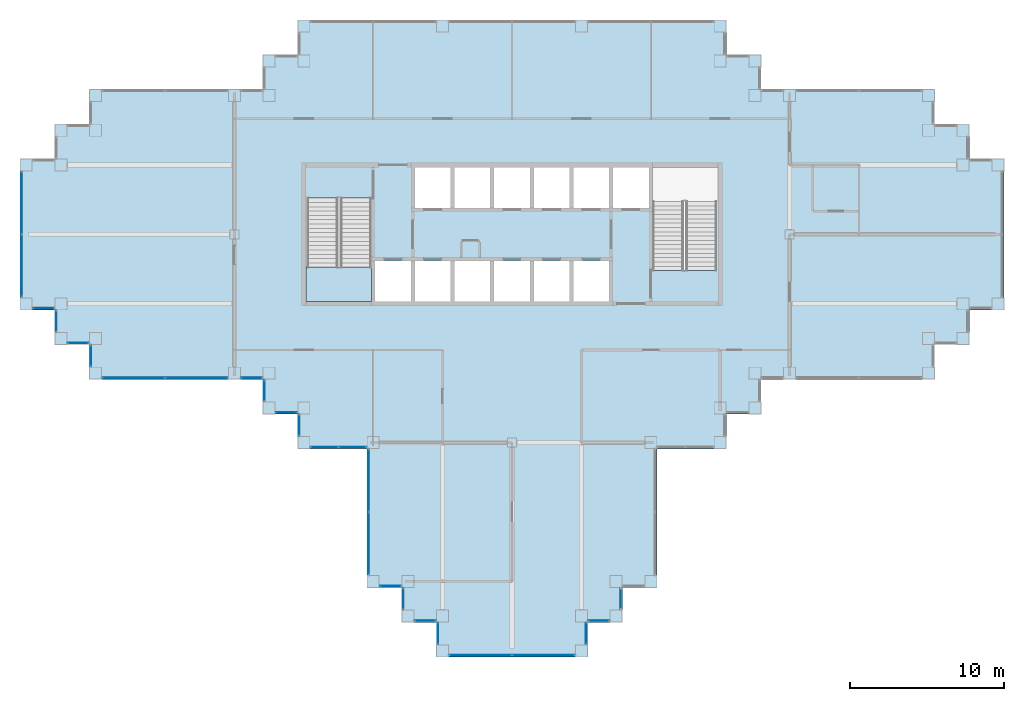
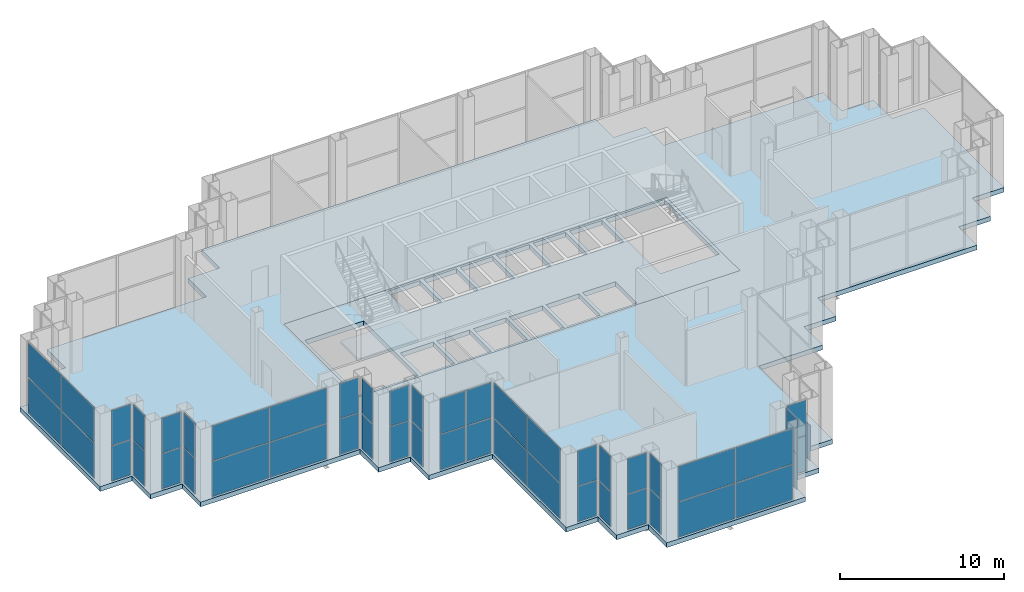
# One storey, part 9 of 18: 49 plates, 3 slabs, 21 elements without a shape of their own.
"""IFC4 building model written with IfcOpenShell, lengths in metres."""

from ifc_helpers import new_model, si_unit, direction, frame, origin, origin_2d, place, context, subcontext, project, spatial, polyline, rectangle, outline, extrude, material, layer, layer_set, type_object, element, aggregate, save


model = new_model("IFC4")

# Units and contexts
model_context = context("Model", 3, precision=1e-05, world=origin(), true_north=direction((0.0, 1.0)))
body_context = subcontext(model_context, "Body", "Model", "MODEL_VIEW")
ifc_project = project(units=[si_unit("LENGTHUNIT", "METRE"), si_unit("AREAUNIT", "SQUARE_METRE"), si_unit("VOLUMEUNIT", "CUBIC_METRE"), si_unit("PLANEANGLEUNIT", "RADIAN"), si_unit("MASSUNIT", "GRAM", prefix="KILO")], contexts=[model_context])

# Site, building, storey
site_placement = place(None, origin())
site = spatial("IfcSite", under=ifc_project, at=site_placement, CompositionType="ELEMENT")
building_placement = place(site_placement, origin())
building = spatial("IfcBuilding", under=site, at=building_placement, Name="Caravel Reach Hotel and Residences", CompositionType="ELEMENT")
storey_placement = place(building_placement, frame((0.0, 0.0, 145.199951171875)))
storey = spatial("IfcBuildingStorey", under=building, at=storey_placement, Name="L36", CompositionType="ELEMENT", Elevation=145.199951171875)

# Curtain wall, plates
ifc_material_1 = material(Name="Dark low-e glazing in black aluminium frame", Category="aluminium")
ifc_layer_1 = layer(ifc_material_1, 0.199951171875)
ifc_layer_set_1 = layer_set([ifc_layer_1], Name="CW2 Sky lobby glazing")
curtain_wall_type = type_object("IfcCurtainWallType", Name="CW2 Sky lobby glazing", PredefinedType="NOTDEFINED", material=ifc_layer_set_1)
curtain_wall_1_placement = place(storey_placement, origin())
curtain_wall_1 = element("IfcCurtainWall", 1, at=curtain_wall_1_placement, inside=storey, type_object=curtain_wall_type, Name="Sky lobby glazing b0", PredefinedType="NOTDEFINED")
ifc_material_2 = material(Name="Dark laminated low-e glass", Category="glass")
ifc_layer_2 = layer(ifc_material_2, 0.028076171875)
ifc_layer_set_2 = layer_set([ifc_layer_2], Name="CW glass panel 28")
plate_type = type_object("IfcPlateType", Name="CW glass panel 28", PredefinedType="CURTAIN_PANEL", material=ifc_layer_set_2)
plate_1_placement = place(storey_placement, frame((23.625, 4.199951171875, 0.06005859375), z_axis=(0.0, 0.0, 1.0), x_axis=(1.0, 0.0, 0.0)))
plate_1 = element("IfcPlate", 2, at=plate_1_placement, type_object=plate_type, Name="CW2 panel 1.1", PredefinedType="CURTAIN_PANEL", context=body_context, shape_type="SweptSolid", body=[
    extrude(rectangle(XDim=1.330078125, YDim=0.028076171875, at=origin_2d()), origin(), (0.0, 0.0, 1.0), 2.610107421875),
])
plate_2_placement = place(storey_placement, frame((23.625, 4.199951171875, 2.72998046875), z_axis=(0.0, 0.0, 1.0), x_axis=(1.0, 0.0, 0.0)))
plate_2 = element("IfcPlate", 3, at=plate_2_placement, type_object=plate_type, Name="CW2 panel 1.2", PredefinedType="CURTAIN_PANEL", context=body_context, shape_type="SweptSolid", body=[
    extrude(rectangle(XDim=1.330078125, YDim=0.028076171875, at=origin_2d()), origin(), (0.0, 0.0, 1.0), 2.610107421875),
])
aggregate(curtain_wall_1, [plate_1, plate_2])

curtain_wall_2_placement = place(storey_placement, origin())
curtain_wall_2 = element("IfcCurtainWall", 4, at=curtain_wall_2_placement, inside=storey, type_object=curtain_wall_type, Name="Sky lobby glazing b0", PredefinedType="NOTDEFINED")
plate_3_placement = place(storey_placement, frame((24.449951171875, 3.375, 0.06005859375), z_axis=(0.0, 0.0, 1.0), x_axis=(0.0, -1.0, 0.0)))
plate_3 = element("IfcPlate", 5, at=plate_3_placement, type_object=plate_type, Name="CW2 panel 1.1", PredefinedType="CURTAIN_PANEL", context=body_context, shape_type="SweptSolid", body=[
    extrude(rectangle(XDim=1.330078125, YDim=0.028076171875, at=origin_2d()), origin(), (0.0, 0.0, 1.0), 2.610107421875),
])
plate_4_placement = place(storey_placement, frame((24.449951171875, 3.375, 2.72998046875), z_axis=(0.0, 0.0, 1.0), x_axis=(0.0, -1.0, 0.0)))
plate_4 = element("IfcPlate", 6, at=plate_4_placement, type_object=plate_type, Name="CW2 panel 1.2", PredefinedType="CURTAIN_PANEL", context=body_context, shape_type="SweptSolid", body=[
    extrude(rectangle(XDim=1.330078125, YDim=0.028076171875, at=origin_2d()), origin(), (0.0, 0.0, 1.0), 2.610107421875),
])
aggregate(curtain_wall_2, [plate_3, plate_4])

curtain_wall_3_placement = place(storey_placement, origin())
curtain_wall_3 = element("IfcCurtainWall", 7, at=curtain_wall_3_placement, inside=storey, type_object=curtain_wall_type, Name="Sky lobby glazing b0", PredefinedType="NOTDEFINED")
plate_5_placement = place(storey_placement, frame((25.875, 1.949951171875, 0.06005859375), z_axis=(0.0, 0.0, 1.0), x_axis=(1.0, 0.0, 0.0)))
plate_5 = element("IfcPlate", 8, at=plate_5_placement, type_object=plate_type, Name="CW2 panel 1.1", PredefinedType="CURTAIN_PANEL", context=body_context, shape_type="SweptSolid", body=[
    extrude(rectangle(XDim=1.330078125, YDim=0.028076171875, at=origin_2d()), origin(), (0.0, 0.0, 1.0), 2.610107421875),
])
plate_6_placement = place(storey_placement, frame((25.875, 1.949951171875, 2.72998046875), z_axis=(0.0, 0.0, 1.0), x_axis=(1.0, 0.0, 0.0)))
plate_6 = element("IfcPlate", 9, at=plate_6_placement, type_object=plate_type, Name="CW2 panel 1.2", PredefinedType="CURTAIN_PANEL", context=body_context, shape_type="SweptSolid", body=[
    extrude(rectangle(XDim=1.330078125, YDim=0.028076171875, at=origin_2d()), origin(), (0.0, 0.0, 1.0), 2.610107421875),
])
aggregate(curtain_wall_3, [plate_5, plate_6])

curtain_wall_4_placement = place(storey_placement, origin())
curtain_wall_4 = element("IfcCurtainWall", 10, at=curtain_wall_4_placement, inside=storey, type_object=curtain_wall_type, Name="Sky lobby glazing b0", PredefinedType="NOTDEFINED")
plate_7_placement = place(storey_placement, frame((26.699951171875, 1.125, 0.06005859375), z_axis=(0.0, 0.0, 1.0), x_axis=(0.0, -1.0, 0.0)))
plate_7 = element("IfcPlate", 11, at=plate_7_placement, type_object=plate_type, Name="CW2 panel 1.1", PredefinedType="CURTAIN_PANEL", context=body_context, shape_type="SweptSolid", body=[
    extrude(rectangle(XDim=1.330078125, YDim=0.028076171875, at=origin_2d()), origin(), (0.0, 0.0, 1.0), 2.610107421875),
])
plate_8_placement = place(storey_placement, frame((26.699951171875, 1.125, 2.72998046875), z_axis=(0.0, 0.0, 1.0), x_axis=(0.0, -1.0, 0.0)))
plate_8 = element("IfcPlate", 12, at=plate_8_placement, type_object=plate_type, Name="CW2 panel 1.2", PredefinedType="CURTAIN_PANEL", context=body_context, shape_type="SweptSolid", body=[
    extrude(rectangle(XDim=1.330078125, YDim=0.028076171875, at=origin_2d()), origin(), (0.0, 0.0, 1.0), 2.610107421875),
])
aggregate(curtain_wall_4, [plate_7, plate_8])

curtain_wall_5_placement = place(storey_placement, origin())
curtain_wall_5 = element("IfcCurtainWall", 13, at=curtain_wall_5_placement, inside=storey, type_object=curtain_wall_type, Name="Sky lobby glazing b0", PredefinedType="NOTDEFINED")
plate_9_placement = place(storey_placement, frame((29.465087890625, -0.300048828125, 0.06005859375), z_axis=(0.0, 0.0, 1.0), x_axis=(1.0, 0.0, 0.0)))
plate_9 = element("IfcPlate", 14, at=plate_9_placement, type_object=plate_type, Name="CW2 panel 1.1", PredefinedType="CURTAIN_PANEL", context=body_context, shape_type="SweptSolid", body=[
    extrude(rectangle(XDim=4.010009765625, YDim=0.028076171875, at=origin_2d()), origin(), (0.0, 0.0, 1.0), 2.610107421875),
])
plate_10_placement = place(storey_placement, frame((29.465087890625, -0.300048828125, 2.72998046875), z_axis=(0.0, 0.0, 1.0), x_axis=(1.0, 0.0, 0.0)))
plate_10 = element("IfcPlate", 15, at=plate_10_placement, type_object=plate_type, Name="CW2 panel 1.2", PredefinedType="CURTAIN_PANEL", context=body_context, shape_type="SweptSolid", body=[
    extrude(rectangle(XDim=4.010009765625, YDim=0.028076171875, at=origin_2d()), origin(), (0.0, 0.0, 1.0), 2.610107421875),
])
plate_11_placement = place(storey_placement, frame((33.534912109375, -0.300048828125, 0.06005859375), z_axis=(0.0, 0.0, 1.0), x_axis=(1.0, 0.0, 0.0)))
plate_11 = element("IfcPlate", 16, at=plate_11_placement, type_object=plate_type, Name="CW2 panel 2.1", PredefinedType="CURTAIN_PANEL", context=body_context, shape_type="SweptSolid", body=[
    extrude(rectangle(XDim=4.010009765625, YDim=0.028076171875, at=origin_2d()), origin(), (0.0, 0.0, 1.0), 2.610107421875),
])
plate_12_placement = place(storey_placement, frame((33.534912109375, -0.300048828125, 2.72998046875), z_axis=(0.0, 0.0, 1.0), x_axis=(1.0, 0.0, 0.0)))
plate_12 = element("IfcPlate", 17, at=plate_12_placement, type_object=plate_type, Name="CW2 panel 2.2", PredefinedType="CURTAIN_PANEL", context=body_context, shape_type="SweptSolid", body=[
    extrude(rectangle(XDim=4.010009765625, YDim=0.028076171875, at=origin_2d()), origin(), (0.0, 0.0, 1.0), 2.610107421875),
])
aggregate(curtain_wall_5, [plate_9, plate_10, plate_11, plate_12])

curtain_wall_6_placement = place(storey_placement, origin())
curtain_wall_6 = element("IfcCurtainWall", 18, at=curtain_wall_6_placement, inside=storey, type_object=curtain_wall_type, Name="Sky lobby glazing b0", PredefinedType="NOTDEFINED")
plate_13_placement = place(storey_placement, frame((36.300048828125, 1.125, 0.06005859375), z_axis=(0.0, 0.0, 1.0), x_axis=(0.0, 1.0, 0.0)))
plate_13 = element("IfcPlate", 19, at=plate_13_placement, type_object=plate_type, Name="CW2 panel 1.1", PredefinedType="CURTAIN_PANEL", context=body_context, shape_type="SweptSolid", body=[
    extrude(rectangle(XDim=1.330078125, YDim=0.028076171875, at=origin_2d()), origin(), (0.0, 0.0, 1.0), 2.610107421875),
])
plate_14_placement = place(storey_placement, frame((36.300048828125, 1.125, 2.72998046875), z_axis=(0.0, 0.0, 1.0), x_axis=(0.0, 1.0, 0.0)))
plate_14 = element("IfcPlate", 20, at=plate_14_placement, type_object=plate_type, Name="CW2 panel 1.2", PredefinedType="CURTAIN_PANEL", context=body_context, shape_type="SweptSolid", body=[
    extrude(rectangle(XDim=1.330078125, YDim=0.028076171875, at=origin_2d()), origin(), (0.0, 0.0, 1.0), 2.610107421875),
])
aggregate(curtain_wall_6, [plate_13, plate_14])

curtain_wall_7_placement = place(storey_placement, origin())
curtain_wall_7 = element("IfcCurtainWall", 21, at=curtain_wall_7_placement, inside=storey, type_object=curtain_wall_type, Name="Sky lobby glazing b0", PredefinedType="NOTDEFINED")
plate_15_placement = place(storey_placement, frame((37.125, 1.949951171875, 0.06005859375), z_axis=(0.0, 0.0, 1.0), x_axis=(1.0, 0.0, 0.0)))
plate_15 = element("IfcPlate", 22, at=plate_15_placement, type_object=plate_type, Name="CW2 panel 1.1", PredefinedType="CURTAIN_PANEL", context=body_context, shape_type="SweptSolid", body=[
    extrude(rectangle(XDim=1.330078125, YDim=0.028076171875, at=origin_2d()), origin(), (0.0, 0.0, 1.0), 2.610107421875),
])
plate_16_placement = place(storey_placement, frame((37.125, 1.949951171875, 2.72998046875), z_axis=(0.0, 0.0, 1.0), x_axis=(1.0, 0.0, 0.0)))
plate_16 = element("IfcPlate", 23, at=plate_16_placement, type_object=plate_type, Name="CW2 panel 1.2", PredefinedType="CURTAIN_PANEL", context=body_context, shape_type="SweptSolid", body=[
    extrude(rectangle(XDim=1.330078125, YDim=0.028076171875, at=origin_2d()), origin(), (0.0, 0.0, 1.0), 2.610107421875),
])
aggregate(curtain_wall_7, [plate_15, plate_16])

# Curtain wall, plate
curtain_wall_8_placement = place(storey_placement, origin())
curtain_wall_8 = element("IfcCurtainWall", 24, at=curtain_wall_8_placement, inside=storey, type_object=curtain_wall_type, Name="Sky lobby glazing b0", PredefinedType="NOTDEFINED")
plate_17_placement = place(storey_placement, frame((38.550048828125, 3.375, 0.06005859375), z_axis=(0.0, 0.0, 1.0), x_axis=(0.0, 1.0, 0.0)))
plate_17 = element("IfcPlate", 25, at=plate_17_placement, type_object=plate_type, Name="CW2 panel 1.1", PredefinedType="CURTAIN_PANEL", context=body_context, shape_type="SweptSolid", body=[
    extrude(rectangle(XDim=1.330078125, YDim=0.028076171875, at=origin_2d()), origin(), (0.0, 0.0, 1.0), 2.610107421875),
])
aggregate(curtain_wall_8, [plate_17])

# Curtain wall, plates
curtain_wall_9_placement = place(storey_placement, origin())
curtain_wall_9 = element("IfcCurtainWall", 26, at=curtain_wall_9_placement, inside=storey, type_object=curtain_wall_type, Name="Sky lobby glazing b0", PredefinedType="NOTDEFINED")
plate_18_placement = place(storey_placement, frame((-0.300048828125, 29.034912109375, 0.06005859375), z_axis=(0.0, 0.0, 1.0), x_axis=(0.0, -1.0, 0.0)))
plate_18 = element("IfcPlate", 27, at=plate_18_placement, type_object=plate_type, Name="CW2 panel 1.1", PredefinedType="CURTAIN_PANEL", context=body_context, shape_type="SweptSolid", body=[
    extrude(rectangle(XDim=4.010009765625, YDim=0.028076171875, at=origin_2d()), origin(), (0.0, 0.0, 1.0), 2.610107421875),
])
plate_19_placement = place(storey_placement, frame((-0.300048828125, 29.034912109375, 2.72998046875), z_axis=(0.0, 0.0, 1.0), x_axis=(0.0, -1.0, 0.0)))
plate_19 = element("IfcPlate", 28, at=plate_19_placement, type_object=plate_type, Name="CW2 panel 1.2", PredefinedType="CURTAIN_PANEL", context=body_context, shape_type="SweptSolid", body=[
    extrude(rectangle(XDim=4.010009765625, YDim=0.028076171875, at=origin_2d()), origin(), (0.0, 0.0, 1.0), 2.610107421875),
])
plate_20_placement = place(storey_placement, frame((-0.300048828125, 24.965087890625, 0.06005859375), z_axis=(0.0, 0.0, 1.0), x_axis=(0.0, -1.0, 0.0)))
plate_20 = element("IfcPlate", 29, at=plate_20_placement, type_object=plate_type, Name="CW2 panel 2.1", PredefinedType="CURTAIN_PANEL", context=body_context, shape_type="SweptSolid", body=[
    extrude(rectangle(XDim=4.010009765625, YDim=0.028076171875, at=origin_2d()), origin(), (0.0, 0.0, 1.0), 2.610107421875),
])
plate_21_placement = place(storey_placement, frame((-0.300048828125, 24.965087890625, 2.72998046875), z_axis=(0.0, 0.0, 1.0), x_axis=(0.0, -1.0, 0.0)))
plate_21 = element("IfcPlate", 30, at=plate_21_placement, type_object=plate_type, Name="CW2 panel 2.2", PredefinedType="CURTAIN_PANEL", context=body_context, shape_type="SweptSolid", body=[
    extrude(rectangle(XDim=4.010009765625, YDim=0.028076171875, at=origin_2d()), origin(), (0.0, 0.0, 1.0), 2.610107421875),
])
aggregate(curtain_wall_9, [plate_18, plate_19, plate_20, plate_21])

curtain_wall_10_placement = place(storey_placement, origin())
curtain_wall_10 = element("IfcCurtainWall", 31, at=curtain_wall_10_placement, inside=storey, type_object=curtain_wall_type, Name="Sky lobby glazing b0", PredefinedType="NOTDEFINED")
plate_22_placement = place(storey_placement, frame((1.125, 22.199951171875, 0.06005859375), z_axis=(0.0, 0.0, 1.0), x_axis=(1.0, 0.0, 0.0)))
plate_22 = element("IfcPlate", 32, at=plate_22_placement, type_object=plate_type, Name="CW2 panel 1.1", PredefinedType="CURTAIN_PANEL", context=body_context, shape_type="SweptSolid", body=[
    extrude(rectangle(XDim=1.330078125, YDim=0.028076171875, at=origin_2d()), origin(), (0.0, 0.0, 1.0), 2.610107421875),
])
plate_23_placement = place(storey_placement, frame((1.125, 22.199951171875, 2.72998046875), z_axis=(0.0, 0.0, 1.0), x_axis=(1.0, 0.0, 0.0)))
plate_23 = element("IfcPlate", 33, at=plate_23_placement, type_object=plate_type, Name="CW2 panel 1.2", PredefinedType="CURTAIN_PANEL", context=body_context, shape_type="SweptSolid", body=[
    extrude(rectangle(XDim=1.330078125, YDim=0.028076171875, at=origin_2d()), origin(), (0.0, 0.0, 1.0), 2.610107421875),
])
aggregate(curtain_wall_10, [plate_22, plate_23])

curtain_wall_11_placement = place(storey_placement, origin())
curtain_wall_11 = element("IfcCurtainWall", 34, at=curtain_wall_11_placement, inside=storey, type_object=curtain_wall_type, Name="Sky lobby glazing b0", PredefinedType="NOTDEFINED")
plate_24_placement = place(storey_placement, frame((1.949951171875, 21.375, 0.06005859375), z_axis=(0.0, 0.0, 1.0), x_axis=(0.0, -1.0, 0.0)))
plate_24 = element("IfcPlate", 35, at=plate_24_placement, type_object=plate_type, Name="CW2 panel 1.1", PredefinedType="CURTAIN_PANEL", context=body_context, shape_type="SweptSolid", body=[
    extrude(rectangle(XDim=1.330078125, YDim=0.028076171875, at=origin_2d()), origin(), (0.0, 0.0, 1.0), 2.610107421875),
])
plate_25_placement = place(storey_placement, frame((1.949951171875, 21.375, 2.72998046875), z_axis=(0.0, 0.0, 1.0), x_axis=(0.0, -1.0, 0.0)))
plate_25 = element("IfcPlate", 36, at=plate_25_placement, type_object=plate_type, Name="CW2 panel 1.2", PredefinedType="CURTAIN_PANEL", context=body_context, shape_type="SweptSolid", body=[
    extrude(rectangle(XDim=1.330078125, YDim=0.028076171875, at=origin_2d()), origin(), (0.0, 0.0, 1.0), 2.610107421875),
])
aggregate(curtain_wall_11, [plate_24, plate_25])

curtain_wall_12_placement = place(storey_placement, origin())
curtain_wall_12 = element("IfcCurtainWall", 37, at=curtain_wall_12_placement, inside=storey, type_object=curtain_wall_type, Name="Sky lobby glazing b0", PredefinedType="NOTDEFINED")
plate_26_placement = place(storey_placement, frame((3.375, 19.949951171875, 0.06005859375), z_axis=(0.0, 0.0, 1.0), x_axis=(1.0, 0.0, 0.0)))
plate_26 = element("IfcPlate", 38, at=plate_26_placement, type_object=plate_type, Name="CW2 panel 1.1", PredefinedType="CURTAIN_PANEL", context=body_context, shape_type="SweptSolid", body=[
    extrude(rectangle(XDim=1.330078125, YDim=0.028076171875, at=origin_2d()), origin(), (0.0, 0.0, 1.0), 2.610107421875),
])
plate_27_placement = place(storey_placement, frame((3.375, 19.949951171875, 2.72998046875), z_axis=(0.0, 0.0, 1.0), x_axis=(1.0, 0.0, 0.0)))
plate_27 = element("IfcPlate", 39, at=plate_27_placement, type_object=plate_type, Name="CW2 panel 1.2", PredefinedType="CURTAIN_PANEL", context=body_context, shape_type="SweptSolid", body=[
    extrude(rectangle(XDim=1.330078125, YDim=0.028076171875, at=origin_2d()), origin(), (0.0, 0.0, 1.0), 2.610107421875),
])
aggregate(curtain_wall_12, [plate_26, plate_27])

curtain_wall_13_placement = place(storey_placement, origin())
curtain_wall_13 = element("IfcCurtainWall", 40, at=curtain_wall_13_placement, inside=storey, type_object=curtain_wall_type, Name="Sky lobby glazing b0", PredefinedType="NOTDEFINED")
plate_28_placement = place(storey_placement, frame((4.199951171875, 19.125, 0.06005859375), z_axis=(0.0, 0.0, 1.0), x_axis=(0.0, -1.0, 0.0)))
plate_28 = element("IfcPlate", 41, at=plate_28_placement, type_object=plate_type, Name="CW2 panel 1.1", PredefinedType="CURTAIN_PANEL", context=body_context, shape_type="SweptSolid", body=[
    extrude(rectangle(XDim=1.330078125, YDim=0.028076171875, at=origin_2d()), origin(), (0.0, 0.0, 1.0), 2.610107421875),
])
plate_29_placement = place(storey_placement, frame((4.199951171875, 19.125, 2.72998046875), z_axis=(0.0, 0.0, 1.0), x_axis=(0.0, -1.0, 0.0)))
plate_29 = element("IfcPlate", 42, at=plate_29_placement, type_object=plate_type, Name="CW2 panel 1.2", PredefinedType="CURTAIN_PANEL", context=body_context, shape_type="SweptSolid", body=[
    extrude(rectangle(XDim=1.330078125, YDim=0.028076171875, at=origin_2d()), origin(), (0.0, 0.0, 1.0), 2.610107421875),
])
aggregate(curtain_wall_13, [plate_28, plate_29])

curtain_wall_14_placement = place(storey_placement, origin())
curtain_wall_14 = element("IfcCurtainWall", 43, at=curtain_wall_14_placement, inside=storey, type_object=curtain_wall_type, Name="Sky lobby glazing b0", PredefinedType="NOTDEFINED")
plate_30_placement = place(storey_placement, frame((6.965087890625, 17.699951171875, 0.06005859375), z_axis=(0.0, 0.0, 1.0), x_axis=(1.0, 0.0, 0.0)))
plate_30 = element("IfcPlate", 44, at=plate_30_placement, type_object=plate_type, Name="CW2 panel 1.1", PredefinedType="CURTAIN_PANEL", context=body_context, shape_type="SweptSolid", body=[
    extrude(rectangle(XDim=4.010009765625, YDim=0.028076171875, at=origin_2d()), origin(), (0.0, 0.0, 1.0), 2.610107421875),
])
plate_31_placement = place(storey_placement, frame((6.965087890625, 17.699951171875, 2.72998046875), z_axis=(0.0, 0.0, 1.0), x_axis=(1.0, 0.0, 0.0)))
plate_31 = element("IfcPlate", 45, at=plate_31_placement, type_object=plate_type, Name="CW2 panel 1.2", PredefinedType="CURTAIN_PANEL", context=body_context, shape_type="SweptSolid", body=[
    extrude(rectangle(XDim=4.010009765625, YDim=0.028076171875, at=origin_2d()), origin(), (0.0, 0.0, 1.0), 2.610107421875),
])
plate_32_placement = place(storey_placement, frame((11.034912109375, 17.699951171875, 0.06005859375), z_axis=(0.0, 0.0, 1.0), x_axis=(1.0, 0.0, 0.0)))
plate_32 = element("IfcPlate", 46, at=plate_32_placement, type_object=plate_type, Name="CW2 panel 2.1", PredefinedType="CURTAIN_PANEL", context=body_context, shape_type="SweptSolid", body=[
    extrude(rectangle(XDim=4.010009765625, YDim=0.028076171875, at=origin_2d()), origin(), (0.0, 0.0, 1.0), 2.610107421875),
])
plate_33_placement = place(storey_placement, frame((11.034912109375, 17.699951171875, 2.72998046875), z_axis=(0.0, 0.0, 1.0), x_axis=(1.0, 0.0, 0.0)))
plate_33 = element("IfcPlate", 47, at=plate_33_placement, type_object=plate_type, Name="CW2 panel 2.2", PredefinedType="CURTAIN_PANEL", context=body_context, shape_type="SweptSolid", body=[
    extrude(rectangle(XDim=4.010009765625, YDim=0.028076171875, at=origin_2d()), origin(), (0.0, 0.0, 1.0), 2.610107421875),
])
aggregate(curtain_wall_14, [plate_30, plate_31, plate_32, plate_33])

curtain_wall_15_placement = place(storey_placement, origin())
curtain_wall_15 = element("IfcCurtainWall", 48, at=curtain_wall_15_placement, inside=storey, type_object=curtain_wall_type, Name="Sky lobby glazing b1", PredefinedType="NOTDEFINED")
plate_34_placement = place(storey_placement, frame((14.625, 17.699951171875, 0.06005859375), z_axis=(0.0, 0.0, 1.0), x_axis=(1.0, 0.0, 0.0)))
plate_34 = element("IfcPlate", 49, at=plate_34_placement, type_object=plate_type, Name="CW2 panel 1.1", PredefinedType="CURTAIN_PANEL", context=body_context, shape_type="SweptSolid", body=[
    extrude(rectangle(XDim=1.330078125, YDim=0.028076171875, at=origin_2d()), origin(), (0.0, 0.0, 1.0), 2.610107421875),
])
plate_35_placement = place(storey_placement, frame((14.625, 17.699951171875, 2.72998046875), z_axis=(0.0, 0.0, 1.0), x_axis=(1.0, 0.0, 0.0)))
plate_35 = element("IfcPlate", 50, at=plate_35_placement, type_object=plate_type, Name="CW2 panel 1.2", PredefinedType="CURTAIN_PANEL", context=body_context, shape_type="SweptSolid", body=[
    extrude(rectangle(XDim=1.330078125, YDim=0.028076171875, at=origin_2d()), origin(), (0.0, 0.0, 1.0), 2.610107421875),
])
aggregate(curtain_wall_15, [plate_34, plate_35])

curtain_wall_16_placement = place(storey_placement, origin())
curtain_wall_16 = element("IfcCurtainWall", 51, at=curtain_wall_16_placement, inside=storey, type_object=curtain_wall_type, Name="Sky lobby glazing b0", PredefinedType="NOTDEFINED")
plate_36_placement = place(storey_placement, frame((15.449951171875, 16.875, 0.06005859375), z_axis=(0.0, 0.0, 1.0), x_axis=(0.0, -1.0, 0.0)))
plate_36 = element("IfcPlate", 52, at=plate_36_placement, type_object=plate_type, Name="CW2 panel 1.1", PredefinedType="CURTAIN_PANEL", context=body_context, shape_type="SweptSolid", body=[
    extrude(rectangle(XDim=1.330078125, YDim=0.028076171875, at=origin_2d()), origin(), (0.0, 0.0, 1.0), 2.610107421875),
])
plate_37_placement = place(storey_placement, frame((15.449951171875, 16.875, 2.72998046875), z_axis=(0.0, 0.0, 1.0), x_axis=(0.0, -1.0, 0.0)))
plate_37 = element("IfcPlate", 53, at=plate_37_placement, type_object=plate_type, Name="CW2 panel 1.2", PredefinedType="CURTAIN_PANEL", context=body_context, shape_type="SweptSolid", body=[
    extrude(rectangle(XDim=1.330078125, YDim=0.028076171875, at=origin_2d()), origin(), (0.0, 0.0, 1.0), 2.610107421875),
])
aggregate(curtain_wall_16, [plate_36, plate_37])

curtain_wall_17_placement = place(storey_placement, origin())
curtain_wall_17 = element("IfcCurtainWall", 54, at=curtain_wall_17_placement, inside=storey, type_object=curtain_wall_type, Name="Sky lobby glazing b0", PredefinedType="NOTDEFINED")
plate_38_placement = place(storey_placement, frame((16.875, 15.449951171875, 0.06005859375), z_axis=(0.0, 0.0, 1.0), x_axis=(1.0, 0.0, 0.0)))
plate_38 = element("IfcPlate", 55, at=plate_38_placement, type_object=plate_type, Name="CW2 panel 1.1", PredefinedType="CURTAIN_PANEL", context=body_context, shape_type="SweptSolid", body=[
    extrude(rectangle(XDim=1.330078125, YDim=0.028076171875, at=origin_2d()), origin(), (0.0, 0.0, 1.0), 2.610107421875),
])
plate_39_placement = place(storey_placement, frame((16.875, 15.449951171875, 2.72998046875), z_axis=(0.0, 0.0, 1.0), x_axis=(1.0, 0.0, 0.0)))
plate_39 = element("IfcPlate", 56, at=plate_39_placement, type_object=plate_type, Name="CW2 panel 1.2", PredefinedType="CURTAIN_PANEL", context=body_context, shape_type="SweptSolid", body=[
    extrude(rectangle(XDim=1.330078125, YDim=0.028076171875, at=origin_2d()), origin(), (0.0, 0.0, 1.0), 2.610107421875),
])
aggregate(curtain_wall_17, [plate_38, plate_39])

curtain_wall_18_placement = place(storey_placement, origin())
curtain_wall_18 = element("IfcCurtainWall", 57, at=curtain_wall_18_placement, inside=storey, type_object=curtain_wall_type, Name="Sky lobby glazing b0", PredefinedType="NOTDEFINED")
plate_40_placement = place(storey_placement, frame((17.699951171875, 14.625, 0.06005859375), z_axis=(0.0, 0.0, 1.0), x_axis=(0.0, -1.0, 0.0)))
plate_40 = element("IfcPlate", 58, at=plate_40_placement, type_object=plate_type, Name="CW2 panel 1.1", PredefinedType="CURTAIN_PANEL", context=body_context, shape_type="SweptSolid", body=[
    extrude(rectangle(XDim=1.330078125, YDim=0.028076171875, at=origin_2d()), origin(), (0.0, 0.0, 1.0), 2.610107421875),
])
plate_41_placement = place(storey_placement, frame((17.699951171875, 14.625, 2.72998046875), z_axis=(0.0, 0.0, 1.0), x_axis=(0.0, -1.0, 0.0)))
plate_41 = element("IfcPlate", 59, at=plate_41_placement, type_object=plate_type, Name="CW2 panel 1.2", PredefinedType="CURTAIN_PANEL", context=body_context, shape_type="SweptSolid", body=[
    extrude(rectangle(XDim=1.330078125, YDim=0.028076171875, at=origin_2d()), origin(), (0.0, 0.0, 1.0), 2.610107421875),
])
aggregate(curtain_wall_18, [plate_40, plate_41])

curtain_wall_19_placement = place(storey_placement, origin())
curtain_wall_19 = element("IfcCurtainWall", 60, at=curtain_wall_19_placement, inside=storey, type_object=curtain_wall_type, Name="Sky lobby glazing b0", PredefinedType="NOTDEFINED")
plate_42_placement = place(storey_placement, frame((19.340087890625, 13.199951171875, 0.06005859375), z_axis=(0.0, 0.0, 1.0), x_axis=(1.0, 0.0, 0.0)))
plate_42 = element("IfcPlate", 61, at=plate_42_placement, type_object=plate_type, Name="CW2 panel 1.1", PredefinedType="CURTAIN_PANEL", context=body_context, shape_type="SweptSolid", body=[
    extrude(rectangle(XDim=1.760009765625, YDim=0.028076171875, at=origin_2d()), origin(), (0.0, 0.0, 1.0), 2.610107421875),
])
plate_43_placement = place(storey_placement, frame((19.340087890625, 13.199951171875, 2.72998046875), z_axis=(0.0, 0.0, 1.0), x_axis=(1.0, 0.0, 0.0)))
plate_43 = element("IfcPlate", 62, at=plate_43_placement, type_object=plate_type, Name="CW2 panel 1.2", PredefinedType="CURTAIN_PANEL", context=body_context, shape_type="SweptSolid", body=[
    extrude(rectangle(XDim=1.760009765625, YDim=0.028076171875, at=origin_2d()), origin(), (0.0, 0.0, 1.0), 2.610107421875),
])
plate_44_placement = place(storey_placement, frame((21.159912109375, 13.199951171875, 0.06005859375), z_axis=(0.0, 0.0, 1.0), x_axis=(1.0, 0.0, 0.0)))
plate_44 = element("IfcPlate", 63, at=plate_44_placement, type_object=plate_type, Name="CW2 panel 2.1", PredefinedType="CURTAIN_PANEL", context=body_context, shape_type="SweptSolid", body=[
    extrude(rectangle(XDim=1.760009765625, YDim=0.028076171875, at=origin_2d()), origin(), (0.0, 0.0, 1.0), 2.610107421875),
])
plate_45_placement = place(storey_placement, frame((21.159912109375, 13.199951171875, 2.72998046875), z_axis=(0.0, 0.0, 1.0), x_axis=(1.0, 0.0, 0.0)))
plate_45 = element("IfcPlate", 64, at=plate_45_placement, type_object=plate_type, Name="CW2 panel 2.2", PredefinedType="CURTAIN_PANEL", context=body_context, shape_type="SweptSolid", body=[
    extrude(rectangle(XDim=1.760009765625, YDim=0.028076171875, at=origin_2d()), origin(), (0.0, 0.0, 1.0), 2.610107421875),
])
aggregate(curtain_wall_19, [plate_42, plate_43, plate_44, plate_45])

curtain_wall_20_placement = place(storey_placement, origin())
curtain_wall_20 = element("IfcCurtainWall", 65, at=curtain_wall_20_placement, inside=storey, type_object=curtain_wall_type, Name="Sky lobby glazing b0", PredefinedType="NOTDEFINED")
plate_46_placement = place(storey_placement, frame((22.199951171875, 11.034912109375, 0.06005859375), z_axis=(0.0, 0.0, 1.0), x_axis=(0.0, -1.0, 0.0)))
plate_46 = element("IfcPlate", 66, at=plate_46_placement, type_object=plate_type, Name="CW2 panel 1.1", PredefinedType="CURTAIN_PANEL", context=body_context, shape_type="SweptSolid", body=[
    extrude(rectangle(XDim=4.010009765625, YDim=0.028076171875, at=origin_2d()), origin(), (0.0, 0.0, 1.0), 2.610107421875),
])
plate_47_placement = place(storey_placement, frame((22.199951171875, 11.034912109375, 2.72998046875), z_axis=(0.0, 0.0, 1.0), x_axis=(0.0, -1.0, 0.0)))
plate_47 = element("IfcPlate", 67, at=plate_47_placement, type_object=plate_type, Name="CW2 panel 1.2", PredefinedType="CURTAIN_PANEL", context=body_context, shape_type="SweptSolid", body=[
    extrude(rectangle(XDim=4.010009765625, YDim=0.028076171875, at=origin_2d()), origin(), (0.0, 0.0, 1.0), 2.610107421875),
])
plate_48_placement = place(storey_placement, frame((22.199951171875, 6.965087890625, 0.06005859375), z_axis=(0.0, 0.0, 1.0), x_axis=(0.0, -1.0, 0.0)))
plate_48 = element("IfcPlate", 68, at=plate_48_placement, type_object=plate_type, Name="CW2 panel 2.1", PredefinedType="CURTAIN_PANEL", context=body_context, shape_type="SweptSolid", body=[
    extrude(rectangle(XDim=4.010009765625, YDim=0.028076171875, at=origin_2d()), origin(), (0.0, 0.0, 1.0), 2.610107421875),
])
plate_49_placement = place(storey_placement, frame((22.199951171875, 6.965087890625, 2.72998046875), z_axis=(0.0, 0.0, 1.0), x_axis=(0.0, -1.0, 0.0)))
plate_49 = element("IfcPlate", 69, at=plate_49_placement, type_object=plate_type, Name="CW2 panel 2.2", PredefinedType="CURTAIN_PANEL", context=body_context, shape_type="SweptSolid", body=[
    extrude(rectangle(XDim=4.010009765625, YDim=0.028076171875, at=origin_2d()), origin(), (0.0, 0.0, 1.0), 2.610107421875),
])
aggregate(curtain_wall_20, [plate_46, plate_47, plate_48, plate_49])

# Slab
ifc_material_3 = material(Name="Concrete C40", Category="concrete")
ifc_layer_3 = layer(ifc_material_3, 0.35009765625)
ifc_layer_set_3 = layer_set([ifc_layer_3], Name="Core floor slab 350 mm")
slab_type_1 = type_object("IfcSlabType", Name="Core floor slab 350 mm", PredefinedType="FLOOR", material=ifc_layer_set_3)
slab_1_placement = place(storey_placement, frame((0.0, 0.0, -0.349853515625)))
element("IfcSlab", 70, at=slab_1_placement, inside=storey, type_object=slab_type_1, Name="L36 core floor", PredefinedType="FLOOR", context=body_context, shape_type="SweptSolid", body=[
    extrude(outline(polyline([(18.0, 31.5), (45.0, 31.5), (45.0, 22.5), (18.0, 22.5), (18.0, 31.5)]), holes=[polyline([(22.625, 25.27490234375), (22.625, 22.64990234375), (24.9462890625, 22.64990234375), (24.9462890625, 25.27490234375), (22.625, 25.27490234375)]), polyline([(27.517822265625, 25.27490234375), (25.1962890625, 25.27490234375), (25.1962890625, 22.64990234375), (27.517822265625, 22.64990234375), (27.517822265625, 25.27490234375)]), polyline([(30.08935546875, 25.27490234375), (27.767822265625, 25.27490234375), (27.767822265625, 22.64990234375), (30.08935546875, 22.64990234375), (30.08935546875, 25.27490234375)]), polyline([(32.66064453125, 25.27490234375), (30.33935546875, 25.27490234375), (30.33935546875, 22.64990234375), (32.66064453125, 22.64990234375), (32.66064453125, 25.27490234375)]), polyline([(18.22509765625, 22.64990234375), (22.375, 22.64990234375), (22.375, 29.35009765625), (18.22509765625, 29.35009765625), (18.22509765625, 22.64990234375)]), polyline([(27.517822265625, 31.35009765625), (25.1962890625, 31.35009765625), (25.1962890625, 28.72509765625), (27.517822265625, 28.72509765625), (27.517822265625, 31.35009765625)]), polyline([(30.08935546875, 31.35009765625), (27.767822265625, 31.35009765625), (27.767822265625, 28.72509765625), (30.08935546875, 28.72509765625), (30.08935546875, 31.35009765625)]), polyline([(32.91064453125, 25.27490234375), (32.91064453125, 22.64990234375), (35.232177734375, 22.64990234375), (35.232177734375, 25.27490234375), (32.91064453125, 25.27490234375)]), polyline([(37.8037109375, 25.27490234375), (35.482177734375, 25.27490234375), (35.482177734375, 22.64990234375), (37.8037109375, 22.64990234375), (37.8037109375, 25.27490234375)]), polyline([(44.77490234375, 31.35009765625), (40.625, 31.35009765625), (40.625, 24.64990234375), (44.77490234375, 24.64990234375), (44.77490234375, 31.35009765625)]), polyline([(32.66064453125, 31.35009765625), (30.33935546875, 31.35009765625), (30.33935546875, 28.72509765625), (32.66064453125, 28.72509765625), (32.66064453125, 31.35009765625)]), polyline([(35.232177734375, 31.35009765625), (32.91064453125, 31.35009765625), (32.91064453125, 28.72509765625), (35.232177734375, 28.72509765625), (35.232177734375, 31.35009765625)]), polyline([(37.8037109375, 31.35009765625), (35.482177734375, 31.35009765625), (35.482177734375, 28.72509765625), (37.8037109375, 28.72509765625), (37.8037109375, 31.35009765625)]), polyline([(40.375, 31.35009765625), (38.0537109375, 31.35009765625), (38.0537109375, 28.72509765625), (40.375, 28.72509765625), (40.375, 31.35009765625)])]), origin(), (0.0, 0.0, 1.0), 0.349853515625),
])

# Stair, slab
ifc_material_4 = material(Name="Concrete C40", Category="concrete")
stair_type = type_object("IfcStairType", Name="Core stair", PredefinedType="HALF_TURN_STAIR", material=ifc_material_4)
stair_placement = place(storey_placement, origin())
stair = element("IfcStair", 71, at=stair_placement, inside=storey, type_object=stair_type, Name="L36 Exit stair A", PredefinedType="HALF_TURN_STAIR")
ifc_material_5 = material(Name="Concrete C40", Category="concrete")
ifc_layer_4 = layer(ifc_material_5, 0.199951171875)
ifc_layer_set_4 = layer_set([ifc_layer_4], Name="Core stair landing")
slab_type_2 = type_object("IfcSlabType", Name="Core stair landing", PredefinedType="LANDING", material=ifc_layer_set_4)
slab_2_placement = place(storey_placement, frame((0.0, 0.0, 2.5)))
slab_2 = element("IfcSlab", 72, at=slab_2_placement, type_object=slab_type_2, Name="ST-A landing 1", PredefinedType="LANDING", context=body_context, shape_type="SweptSolid", body=[
    extrude(outline(polyline([(18.14990234375, 24.8701171875), (18.14990234375, 22.64990234375), (22.375, 22.64990234375), (22.375, 24.8701171875), (18.14990234375, 24.8701171875)])), origin(), (0.0, 0.0, 1.0), 0.199951171875),
])
aggregate(stair, [slab_2])

# Slab
ifc_material_6 = material(Name="Concrete C40 post-tensioned", Category="concrete")
ifc_layer_5 = layer(ifc_material_6, 0.35009765625)
ifc_layer_set_5 = layer_set([ifc_layer_5], Name="Floor slab 350")
slab_type_3 = type_object("IfcSlabType", Name="Floor slab 350", PredefinedType="FLOOR", material=ifc_layer_set_5)
slab_3_placement = place(storey_placement, frame((0.0, 0.0, -0.349853515625)))
element("IfcSlab", 73, at=slab_3_placement, inside=storey, type_object=slab_type_3, Name="S3 slab L36", PredefinedType="FLOOR", context=body_context, shape_type="SweptSolid", body=[
    extrude(outline(polyline([(17.60009765625, 13.10009765625), (17.60009765625, 15.35009765625), (15.35009765625, 15.35009765625), (15.35009765625, 17.60009765625), (4.10009765625, 17.60009765625), (4.10009765625, 19.85009765625), (1.85009765625, 19.85009765625), (1.85009765625, 22.10009765625), (-0.39990234375, 22.10009765625), (-0.39990234375, 31.89990234375), (1.85009765625, 31.89990234375), (1.85009765625, 34.14990234375), (4.10009765625, 34.14990234375), (4.10009765625, 36.39990234375), (15.35009765625, 36.39990234375), (15.35009765625, 38.64990234375), (17.60009765625, 38.64990234375), (17.60009765625, 40.89990234375), (45.39990234375, 40.89990234375), (45.39990234375, 38.64990234375), (47.64990234375, 38.64990234375), (47.64990234375, 36.39990234375), (58.89990234375, 36.39990234375), (58.89990234375, 34.14990234375), (61.14990234375, 34.14990234375), (61.14990234375, 31.89990234375), (63.39990234375, 31.89990234375), (63.39990234375, 22.10009765625), (61.14990234375, 22.10009765625), (61.14990234375, 19.85009765625), (58.89990234375, 19.85009765625), (58.89990234375, 17.60009765625), (47.64990234375, 17.60009765625), (47.64990234375, 15.35009765625), (45.39990234375, 15.35009765625), (45.39990234375, 13.10009765625), (40.89990234375, 13.10009765625), (40.89990234375, 4.10009765625), (38.64990234375, 4.10009765625), (38.64990234375, 1.85009765625), (36.39990234375, 1.85009765625), (36.39990234375, -0.39990234375), (26.60009765625, -0.39990234375), (26.60009765625, 1.85009765625), (24.35009765625, 1.85009765625), (24.35009765625, 4.10009765625), (22.10009765625, 4.10009765625), (22.10009765625, 13.10009765625), (17.60009765625, 13.10009765625)]), holes=[polyline([(45.0, 31.5), (18.0, 31.5), (18.0, 22.5), (45.0, 22.5), (45.0, 31.5)])]), origin(), (0.0, 0.0, 1.0), 0.349853515625),
])

save(model, "model.ifc")
